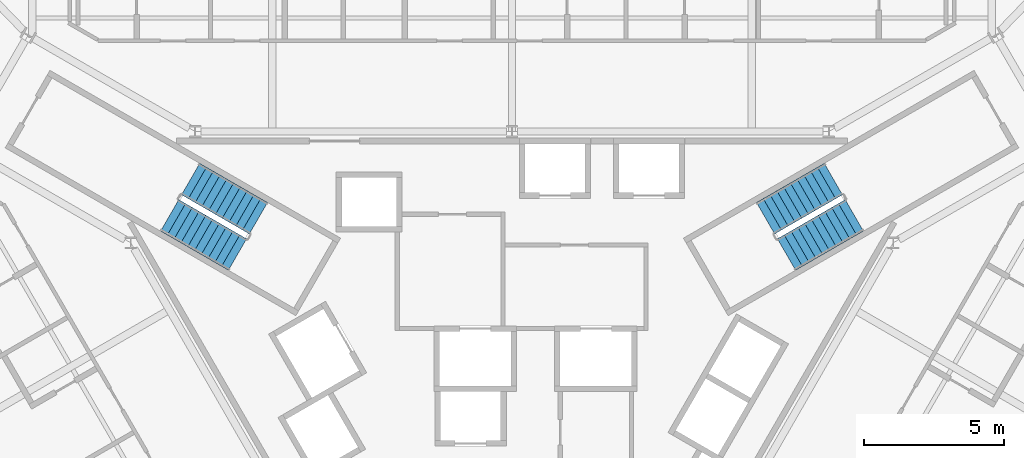
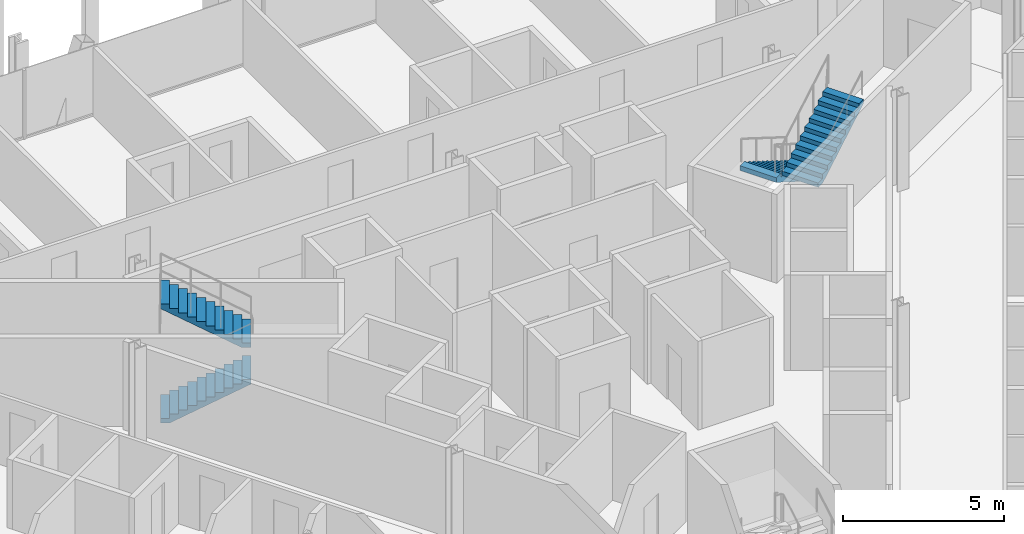
# One storey, part 18 of 21: 4 stair flights, 2 elements without a shape of their own.
"""IFC4 building model written with IfcOpenShell, lengths in metres."""

from ifc_helpers import new_model, si_unit, direction, frame, origin, place, context, subcontext, project, spatial, polyline, outline, extrude, material, type_object, element, aggregate, save


model = new_model("IFC4")

# Units and contexts
model_context = context("Model", 3, precision=1e-05, world=origin(), true_north=direction((0.0, 1.0)))
body_context = subcontext(model_context, "Body", "Model", "MODEL_VIEW")
ifc_project = project(units=[si_unit("LENGTHUNIT", "METRE"), si_unit("AREAUNIT", "SQUARE_METRE"), si_unit("VOLUMEUNIT", "CUBIC_METRE"), si_unit("PLANEANGLEUNIT", "RADIAN"), si_unit("MASSUNIT", "GRAM", prefix="KILO")], contexts=[model_context])

# Site, building, storey
site_placement = place(None, origin())
site = spatial("IfcSite", under=ifc_project, at=site_placement, CompositionType="ELEMENT")
building_placement = place(site_placement, origin())
building = spatial("IfcBuilding", under=site, at=building_placement, Name="Verrane Prism Tower", CompositionType="ELEMENT")
storey_placement = place(building_placement, frame((0.0, 0.0, 65.60009765625)))
storey = spatial("IfcBuildingStorey", under=building, at=storey_placement, Name="L14", CompositionType="ELEMENT", Elevation=65.60009765625)

# Stair, stair flights
ifc_material_1 = material(Name="Concrete C40/50", Category="concrete")
stair_type = type_object("IfcStairType", Name="Exit stair 1300 dog-leg precast concrete C40/50", PredefinedType="HALF_TURN_STAIR", material=ifc_material_1)
stair_1_placement = place(storey_placement, origin())
stair_1 = element("IfcStair", 1, at=stair_1_placement, inside=storey, type_object=stair_type, Name="Stair 1 L14", PredefinedType="HALF_TURN_STAIR")
ifc_material_2 = material(Name="Concrete C40/50", Category="concrete")
stair_flight_type = type_object("IfcStairFlightType", Name="Stair flight 1300 precast concrete C40/50", PredefinedType="STRAIGHT", material=ifc_material_2)
stair_flight_1_placement = place(storey_placement, frame((11.489501953125, 7.49951171875, 0.0), z_axis=(0.0, 0.0, 1.0), x_axis=(-0.866025403784, -0.5, 0.0)))
stair_flight_1 = element("IfcStairFlight", 2, at=stair_flight_1_placement, type_object=stair_flight_type, Name="Stair 1 flight 1", NumberOfRisers=11, NumberOfTreads=10, PredefinedType="STRAIGHT", RiserHeight=0.163636364, TreadLength=0.28, context=body_context, shape_type="SweptSolid", body=[
    extrude(outline(polyline([(0.0, 0.0), (0.0, 0.16357421875), (0.280029296875, 0.16357421875), (0.280029296875, 0.327392578125), (0.56005859375, 0.327392578125), (0.56005859375, 0.490966796875), (0.840087890625, 0.490966796875), (0.840087890625, 0.654541015625), (1.1201171875, 0.654541015625), (1.1201171875, 0.818115234375), (1.39990234375, 0.818115234375), (1.39990234375, 0.98193359375), (1.679931640625, 0.98193359375), (1.679931640625, 1.1455078125), (1.9599609375, 1.1455078125), (1.9599609375, 1.30908203125), (2.239990234375, 1.30908203125), (2.239990234375, 1.47265625), (2.52001953125, 1.47265625), (2.52001953125, 1.636474609375), (2.800048828125, 1.636474609375), (2.800048828125, 1.800048828125), (2.800048828125, 1.462646484375), (0.297119140625, 0.0), (0.0, 0.0)])), frame((0.0, 0.64990234375, 0.0), z_axis=(0.0, -1.0, 0.0), x_axis=(1.0, 0.0, 0.0)), (0.0, 0.0, 1.0), 1.300048828125),
])
stair_flight_2_placement = place(storey_placement, frame((9.814697265625, 4.800537109375, 1.7998046875), z_axis=(0.0, 0.0, 1.0), x_axis=(0.866025403784, 0.5, 0.0)))
stair_flight_2 = element("IfcStairFlight", 3, at=stair_flight_2_placement, type_object=stair_flight_type, Name="Stair 1 flight 2", NumberOfRisers=11, NumberOfTreads=10, PredefinedType="STRAIGHT", RiserHeight=0.163636364, TreadLength=0.28, context=body_context, shape_type="SweptSolid", body=[
    extrude(outline(polyline([(0.0, 0.0), (0.0, 0.16357421875), (0.280029296875, 0.16357421875), (0.280029296875, 0.327392578125), (0.56005859375, 0.327392578125), (0.56005859375, 0.490966796875), (0.840087890625, 0.490966796875), (0.840087890625, 0.654541015625), (1.1201171875, 0.654541015625), (1.1201171875, 0.818115234375), (1.39990234375, 0.818115234375), (1.39990234375, 0.98193359375), (1.679931640625, 0.98193359375), (1.679931640625, 1.1455078125), (1.9599609375, 1.1455078125), (1.9599609375, 1.30908203125), (2.239990234375, 1.30908203125), (2.239990234375, 1.47265625), (2.52001953125, 1.47265625), (2.52001953125, 1.636474609375), (2.800048828125, 1.636474609375), (2.800048828125, 1.800048828125), (2.800048828125, 1.462646484375), (0.297119140625, 0.0), (0.0, 0.0)])), frame((0.0, 0.64990234375, 0.0), z_axis=(0.0, -1.0, 0.0), x_axis=(1.0, 0.0, 0.0)), (0.0, 0.0, 1.0), 1.300048828125),
])
aggregate(stair_1, [stair_flight_1, stair_flight_2])

stair_2_placement = place(storey_placement, origin())
stair_2 = element("IfcStair", 4, at=stair_2_placement, inside=storey, type_object=stair_type, Name="Stair 2 L14", PredefinedType="HALF_TURN_STAIR")
stair_flight_3_placement = place(storey_placement, frame((-12.239501953125, 6.200439453125, 0.0), z_axis=(0.0, 0.0, 1.0), x_axis=(0.866025403784, -0.5, 0.0)))
stair_flight_3 = element("IfcStairFlight", 5, at=stair_flight_3_placement, type_object=stair_flight_type, Name="Stair 2 flight 1", NumberOfRisers=11, NumberOfTreads=10, PredefinedType="STRAIGHT", RiserHeight=0.163636364, TreadLength=0.28, context=body_context, shape_type="SweptSolid", body=[
    extrude(outline(polyline([(0.0, 0.0), (0.0, 0.16357421875), (0.280029296875, 0.16357421875), (0.280029296875, 0.327392578125), (0.56005859375, 0.327392578125), (0.56005859375, 0.490966796875), (0.840087890625, 0.490966796875), (0.840087890625, 0.654541015625), (1.1201171875, 0.654541015625), (1.1201171875, 0.818115234375), (1.39990234375, 0.818115234375), (1.39990234375, 0.98193359375), (1.679931640625, 0.98193359375), (1.679931640625, 1.1455078125), (1.9599609375, 1.1455078125), (1.9599609375, 1.30908203125), (2.239990234375, 1.30908203125), (2.239990234375, 1.47265625), (2.52001953125, 1.47265625), (2.52001953125, 1.636474609375), (2.800048828125, 1.636474609375), (2.800048828125, 1.800048828125), (2.800048828125, 1.462646484375), (0.297119140625, 0.0), (0.0, 0.0)])), frame((0.0, 0.64990234375, 0.0), z_axis=(0.0, -1.0, 0.0), x_axis=(1.0, 0.0, 0.0)), (0.0, 0.0, 1.0), 1.300048828125),
])
stair_flight_4_placement = place(storey_placement, frame((-9.064697265625, 6.099609375, 1.7998046875), z_axis=(0.0, 0.0, 1.0), x_axis=(-0.866025403784, 0.5, 0.0)))
stair_flight_4 = element("IfcStairFlight", 6, at=stair_flight_4_placement, type_object=stair_flight_type, Name="Stair 2 flight 2", NumberOfRisers=11, NumberOfTreads=10, PredefinedType="STRAIGHT", RiserHeight=0.163636364, TreadLength=0.28, context=body_context, shape_type="SweptSolid", body=[
    extrude(outline(polyline([(0.0, 0.0), (0.0, 0.16357421875), (0.280029296875, 0.16357421875), (0.280029296875, 0.327392578125), (0.56005859375, 0.327392578125), (0.56005859375, 0.490966796875), (0.840087890625, 0.490966796875), (0.840087890625, 0.654541015625), (1.1201171875, 0.654541015625), (1.1201171875, 0.818115234375), (1.39990234375, 0.818115234375), (1.39990234375, 0.98193359375), (1.679931640625, 0.98193359375), (1.679931640625, 1.1455078125), (1.9599609375, 1.1455078125), (1.9599609375, 1.30908203125), (2.239990234375, 1.30908203125), (2.239990234375, 1.47265625), (2.52001953125, 1.47265625), (2.52001953125, 1.636474609375), (2.800048828125, 1.636474609375), (2.800048828125, 1.800048828125), (2.800048828125, 1.462646484375), (0.297119140625, 0.0), (0.0, 0.0)])), frame((0.0, 0.64990234375, 0.0), z_axis=(0.0, -1.0, 0.0), x_axis=(1.0, 0.0, 0.0)), (0.0, 0.0, 1.0), 1.300048828125),
])
aggregate(stair_2, [stair_flight_3, stair_flight_4])

save(model, "model.ifc")
